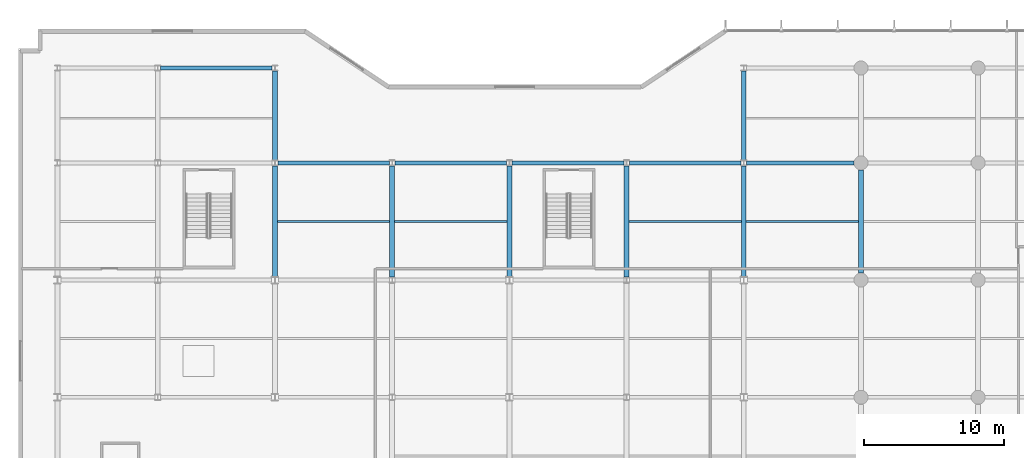
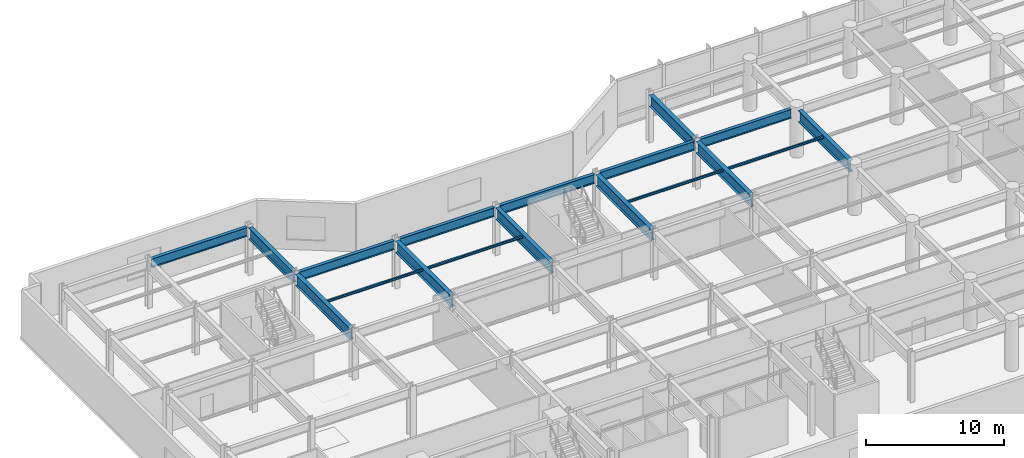
# One storey, part 4 of 26: 18 beams.
"""IFC4 building model written with IfcOpenShell, lengths in metres."""

from ifc_helpers import new_model, si_unit, direction, frame, origin, origin_2d, place, context, subcontext, project, spatial, i_section, extrude, material, material_profile, profile_set, type_object, element, save


model = new_model("IFC4")

# Units and contexts
model_context = context("Model", 3, precision=1e-05, world=origin(), true_north=direction((0.0, 1.0)))
body_context = subcontext(model_context, "Body", "Model", "MODEL_VIEW")
ifc_project = project(units=[si_unit("LENGTHUNIT", "METRE"), si_unit("AREAUNIT", "SQUARE_METRE"), si_unit("VOLUMEUNIT", "CUBIC_METRE"), si_unit("PLANEANGLEUNIT", "RADIAN"), si_unit("MASSUNIT", "GRAM", prefix="KILO")], contexts=[model_context])

# Site, building, storey
site_placement = place(None, origin())
site = spatial("IfcSite", under=ifc_project, at=site_placement, CompositionType="ELEMENT")
building_placement = place(site_placement, origin())
building = spatial("IfcBuilding", under=site, at=building_placement, Name="Varnakote Quay Hospital", CompositionType="ELEMENT")
storey_placement = place(building_placement, frame((0.0, 0.0, 13.5)))
storey = spatial("IfcBuildingStorey", under=building, at=storey_placement, Name="L03", CompositionType="ELEMENT", Elevation=13.5)

# Beams
ifc_material_1 = material(Name="Structural steel AS/NZS 3678 Grade 350 (fy 340 MPa)", Category="steel")
ifc_material_profile_1 = material_profile(ifc_material_1, i_section(OverallWidth=0.35009765625, OverallDepth=1.010009765625, WebThickness=0.01611328125, FlangeThickness=0.02490234375, at=origin_2d()), Name="1000WB258")
ifc_profile_set_1 = profile_set([ifc_material_profile_1], Name="Structural steel AS/NZS 3678 Grade 350 (fy 340 MPa)")
beam_type_1 = type_object("IfcBeamType", Name="BM-STL-1000WB258", PredefinedType="BEAM", material=ifc_profile_set_1)
beam_1_placement = place(storey_placement, frame((16.800048828125, 29.06494140625, 3.7451171875), z_axis=(0.0, 1.0, 0.0), x_axis=(-1.0, 0.0, 0.0)))
element("IfcBeam", 1, at=beam_1_placement, inside=storey, type_object=beam_type_1, Name="L03 Primary Tie Beam", PredefinedType="BEAM", context=body_context, shape_type="SweptSolid", body=[
    extrude(i_section(OverallWidth=0.35009765625, OverallDepth=1.010009765625, WebThickness=0.01611328125, FlangeThickness=0.02490234375, at=origin_2d()), origin(), (0.0, 0.0, 1.0), 7.925048828125),
])
beam_2_placement = place(storey_placement, frame((16.800048828125, 37.409912109375, 3.7451171875), z_axis=(0.0, 1.0, 0.0), x_axis=(-1.0, 0.0, 0.0)))
element("IfcBeam", 2, at=beam_2_placement, inside=storey, type_object=beam_type_1, Name="L03 Primary Tie Beam", PredefinedType="BEAM", context=body_context, shape_type="SweptSolid", body=[
    extrude(i_section(OverallWidth=0.35009765625, OverallDepth=1.010009765625, WebThickness=0.01611328125, FlangeThickness=0.02490234375, at=origin_2d()), origin(), (0.0, 0.0, 1.0), 6.380126953125),
])
beam_3_placement = place(storey_placement, frame((25.199951171875, 29.010009765625, 3.7451171875), z_axis=(0.0, 1.0, 0.0), x_axis=(-1.0, 0.0, 0.0)))
element("IfcBeam", 3, at=beam_3_placement, inside=storey, type_object=beam_type_1, Name="L03 Primary Tie Beam", PredefinedType="BEAM", context=body_context, shape_type="SweptSolid", body=[
    extrude(i_section(OverallWidth=0.35009765625, OverallDepth=1.010009765625, WebThickness=0.01611328125, FlangeThickness=0.02490234375, at=origin_2d()), origin(), (0.0, 0.0, 1.0), 7.97998046875),
])
beam_4_placement = place(storey_placement, frame((33.60009765625, 29.06494140625, 3.7451171875), z_axis=(0.0, 1.0, 0.0), x_axis=(-1.0, 0.0, 0.0)))
element("IfcBeam", 4, at=beam_4_placement, inside=storey, type_object=beam_type_1, Name="L03 Primary Tie Beam", PredefinedType="BEAM", context=body_context, shape_type="SweptSolid", body=[
    extrude(i_section(OverallWidth=0.35009765625, OverallDepth=1.010009765625, WebThickness=0.01611328125, FlangeThickness=0.02490234375, at=origin_2d()), origin(), (0.0, 0.0, 1.0), 7.925048828125),
])
beam_5_placement = place(storey_placement, frame((42.0, 29.010009765625, 3.7451171875), z_axis=(0.0, 1.0, 0.0), x_axis=(-1.0, 0.0, 0.0)))
element("IfcBeam", 5, at=beam_5_placement, inside=storey, type_object=beam_type_1, Name="L03 Primary Tie Beam", PredefinedType="BEAM", context=body_context, shape_type="SweptSolid", body=[
    extrude(i_section(OverallWidth=0.35009765625, OverallDepth=1.010009765625, WebThickness=0.01611328125, FlangeThickness=0.02490234375, at=origin_2d()), origin(), (0.0, 0.0, 1.0), 7.97998046875),
])
beam_6_placement = place(storey_placement, frame((50.39990234375, 29.06494140625, 3.7451171875), z_axis=(0.0, 1.0, 0.0), x_axis=(-1.0, 0.0, 0.0)))
element("IfcBeam", 6, at=beam_6_placement, inside=storey, type_object=beam_type_1, Name="L03 Primary Tie Beam", PredefinedType="BEAM", context=body_context, shape_type="SweptSolid", body=[
    extrude(i_section(OverallWidth=0.35009765625, OverallDepth=1.010009765625, WebThickness=0.01611328125, FlangeThickness=0.02490234375, at=origin_2d()), origin(), (0.0, 0.0, 1.0), 7.925048828125),
])
beam_7_placement = place(storey_placement, frame((50.39990234375, 37.409912109375, 3.7451171875), z_axis=(0.0, 1.0, 0.0), x_axis=(-1.0, 0.0, 0.0)))
element("IfcBeam", 7, at=beam_7_placement, inside=storey, type_object=beam_type_1, Name="L03 Primary Tie Beam", PredefinedType="BEAM", context=body_context, shape_type="SweptSolid", body=[
    extrude(i_section(OverallWidth=0.35009765625, OverallDepth=1.010009765625, WebThickness=0.01611328125, FlangeThickness=0.02490234375, at=origin_2d()), origin(), (0.0, 0.0, 1.0), 6.380126953125),
])
beam_8_placement = place(storey_placement, frame((58.800048828125, 29.300048828125, 3.7451171875), z_axis=(0.0, 1.0, 0.0), x_axis=(-1.0, 0.0, 0.0)))
element("IfcBeam", 8, at=beam_8_placement, inside=storey, type_object=beam_type_1, Name="L03 Primary Tie Beam", PredefinedType="BEAM", context=body_context, shape_type="SweptSolid", body=[
    extrude(i_section(OverallWidth=0.35009765625, OverallDepth=1.010009765625, WebThickness=0.01611328125, FlangeThickness=0.02490234375, at=origin_2d()), origin(), (0.0, 0.0, 1.0), 7.39990234375),
])
ifc_material_2 = material(Name="Structural steel AS/NZS 3678 Grade 350 (fy 340 MPa)", Category="steel")
ifc_material_profile_2 = material_profile(ifc_material_2, i_section(OverallWidth=0.27490234375, OverallDepth=0.800048828125, WebThickness=0.010009765625, FlangeThickness=0.02001953125, at=origin_2d()), Name="800WB146")
ifc_profile_set_2 = profile_set([ifc_material_profile_2], Name="Structural steel AS/NZS 3678 Grade 350 (fy 340 MPa)")
beam_type_2 = type_object("IfcBeamType", Name="BM-STL-800WB146", PredefinedType="BEAM", material=ifc_profile_set_2)
for number, where, z_axis, x_axis, name in (
    (9, (17.0, 37.199951171875, 3.85009765625), (1.0, 0.0, 0.0), (0.0, 1.0, 0.0), "L03 Primary Floor Beam"),
    (10, (25.39990234375, 37.199951171875, 3.85009765625), (1.0, 0.0, 0.0), (0.0, 1.0, 0.0), "L03 Primary Floor Beam"),
    (11, (33.800048828125, 37.199951171875, 3.85009765625), (1.0, 0.0, 0.0), (0.0, 1.0, 0.0), "L03 Primary Floor Beam"),
    (12, (42.199951171875, 37.199951171875, 3.85009765625), (1.0, 0.0, 0.0), (0.0, 1.0, 0.0), "L03 Primary Floor Beam"),
):
    element("IfcBeam", number, at=place(storey_placement, frame(where, z_axis=z_axis, x_axis=x_axis)), inside=storey, type_object=beam_type_2, Name=name, PredefinedType="BEAM", context=body_context, shape_type="SweptSolid", body=[
        extrude(i_section(OverallWidth=0.27490234375, OverallDepth=0.800048828125, WebThickness=0.010009765625, FlangeThickness=0.02001953125, at=origin_2d()), origin(), (0.0, 0.0, 1.0), 8.0),
    ])
beam_9_placement = place(storey_placement, frame((50.60009765625, 37.199951171875, 3.85009765625), z_axis=(1.0, 0.0, 0.0), x_axis=(0.0, 1.0, 0.0)))
element("IfcBeam", 13, at=beam_9_placement, inside=storey, type_object=beam_type_2, Name="L03 Primary Floor Beam", PredefinedType="BEAM", context=body_context, shape_type="SweptSolid", body=[
    extrude(i_section(OverallWidth=0.27490234375, OverallDepth=0.800048828125, WebThickness=0.010009765625, FlangeThickness=0.02001953125, at=origin_2d()), origin(), (0.0, 0.0, 1.0), 7.699951171875),
])
beam_10_placement = place(storey_placement, frame((8.60009765625, 44.0, 3.85009765625), z_axis=(1.0, 0.0, 0.0), x_axis=(0.0, 1.0, 0.0)))
element("IfcBeam", 14, at=beam_10_placement, inside=storey, type_object=beam_type_2, Name="L03 Primary Floor Beam", PredefinedType="BEAM", context=body_context, shape_type="SweptSolid", body=[
    extrude(i_section(OverallWidth=0.27490234375, OverallDepth=0.800048828125, WebThickness=0.010009765625, FlangeThickness=0.02001953125, at=origin_2d()), origin(), (0.0, 0.0, 1.0), 8.0),
])
ifc_material_3 = material(Name="Structural steel AS/NZS 3679.1 Grade 350 L0 (fy 340 MPa)", Category="steel")
ifc_material_profile_3 = material_profile(ifc_material_3, i_section(OverallWidth=0.134033203125, OverallDepth=0.20703125, WebThickness=0.00634765625, FlangeThickness=0.009521484375, FilletRadius=0.0087890625, at=origin_2d()), Name="200UB29.8")
ifc_profile_set_3 = profile_set([ifc_material_profile_3], Name="Structural steel AS/NZS 3679.1 Grade 350 L0 (fy 340 MPa)")
beam_type_3 = type_object("IfcBeamType", Name="JST-STL-200UB29-8", PredefinedType="JOIST", material=ifc_profile_set_3)
beam_11_placement = place(storey_placement, frame((16.97509765625, 33.0, 4.146484375), z_axis=(1.0, 0.0, 0.0), x_axis=(0.0, 1.0, 0.0)))
element("IfcBeam", 15, at=beam_11_placement, inside=storey, type_object=beam_type_3, Name="L03 Composite Floor Joist", PredefinedType="JOIST", context=body_context, shape_type="SweptSolid", body=[
    extrude(i_section(OverallWidth=0.134033203125, OverallDepth=0.20703125, WebThickness=0.00634765625, FlangeThickness=0.009521484375, FilletRadius=0.0087890625, at=origin_2d()), origin(), (0.0, 0.0, 1.0), 8.0498046875),
])
for number, where, z_axis, x_axis, name in (
    (16, (25.375, 33.0, 4.146484375), (1.0, 0.0, 0.0), (0.0, 1.0, 0.0), "L03 Composite Floor Joist"),
    (17, (42.175048828125, 33.0, 4.146484375), (1.0, 0.0, 0.0), (0.0, 1.0, 0.0), "L03 Composite Floor Joist"),
    (18, (50.574951171875, 33.0, 4.146484375), (1.0, 0.0, 0.0), (0.0, 1.0, 0.0), "L03 Composite Floor Joist"),
):
    element("IfcBeam", number, at=place(storey_placement, frame(where, z_axis=z_axis, x_axis=x_axis)), inside=storey, type_object=beam_type_3, Name=name, PredefinedType="JOIST", context=body_context, shape_type="SweptSolid", body=[
        extrude(i_section(OverallWidth=0.134033203125, OverallDepth=0.20703125, WebThickness=0.00634765625, FlangeThickness=0.009521484375, FilletRadius=0.0087890625, at=origin_2d()), origin(), (0.0, 0.0, 1.0), 8.050048828125),
    ])

save(model, "model.ifc")
